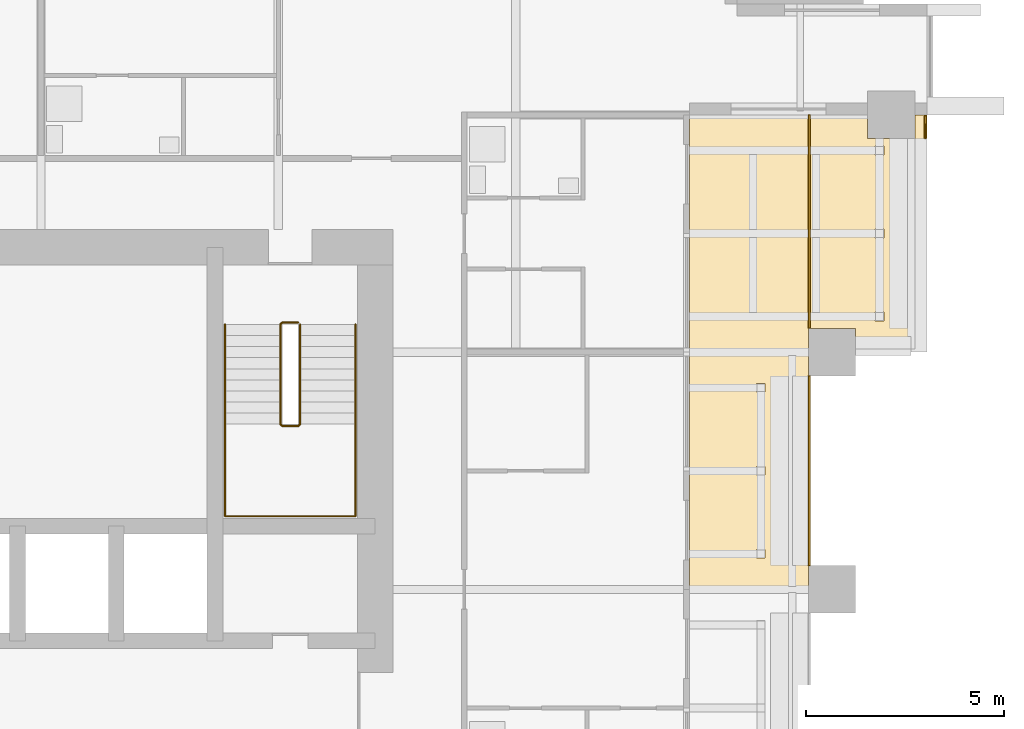
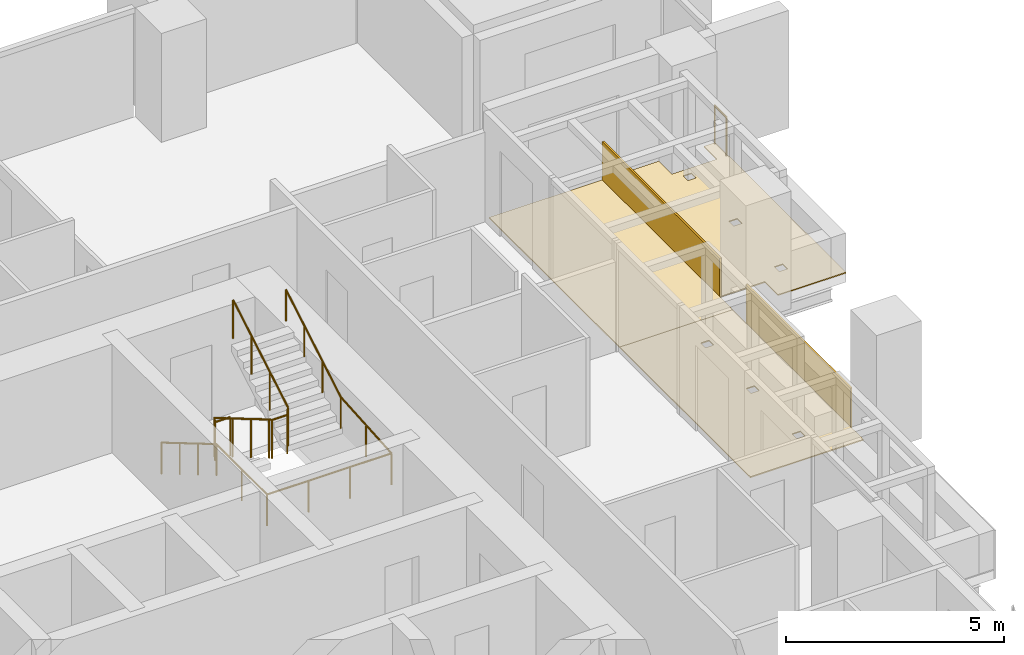
# One storey, part 14 of 15: 4 coverings, 3 railings.
"""IFC4 building model written with IfcOpenShell, lengths in metres."""

from ifc_helpers import new_model, si_unit, direction, frame, origin, origin_2d, place, context, subcontext, project, spatial, polyline, circle, outline, extrude, material, layer, layer_set, type_object, element, save


model = new_model("IFC4")

# Units and contexts
model_context = context("Model", 3, precision=1e-05, world=origin(), true_north=direction((0.0, 1.0)))
body_context = subcontext(model_context, "Body", "Model", "MODEL_VIEW")
ifc_project = project(units=[si_unit("LENGTHUNIT", "METRE"), si_unit("AREAUNIT", "SQUARE_METRE"), si_unit("VOLUMEUNIT", "CUBIC_METRE"), si_unit("PLANEANGLEUNIT", "RADIAN"), si_unit("MASSUNIT", "GRAM", prefix="KILO")], contexts=[model_context])

# Site, building, storey
site_placement = place(None, origin())
site = spatial("IfcSite", under=ifc_project, at=site_placement, CompositionType="ELEMENT")
building_placement = place(site_placement, origin())
building = spatial("IfcBuilding", under=site, at=building_placement, Name="Amberfall Residences", CompositionType="ELEMENT")
storey_placement = place(building_placement, frame((0.0, 0.0, 53.199951171875)))
storey = spatial("IfcBuildingStorey", under=building, at=storey_placement, Name="L14", CompositionType="ELEMENT", Elevation=53.199951171875)

# Coverings
ifc_material_1 = material(Name="Pale limestone cladding", Category="masonry")
ifc_layer_1 = layer(ifc_material_1, 0.050048828125)
ifc_layer_set_1 = layer_set([ifc_layer_1], Name="Limestone fascia 50")
covering_type_1 = type_object("IfcCoveringType", Name="Limestone fascia 50", PredefinedType="CLADDING", material=ifc_layer_set_1)
covering_1_placement = place(storey_placement, frame((0.0, 0.0, -0.25)))
element("IfcCovering", 1, at=covering_1_placement, inside=storey, type_object=covering_type_1, Name="Limestone terrace fascia L14 E1", PredefinedType="CLADDING", context=body_context, shape_type="SweptSolid", body=[
    extrude(outline(polyline([(97.0, 49.001953125), (97.0, 53.798095703125), (97.050048828125, 53.798095703125), (97.050048828125, 49.001953125), (97.0, 49.001953125)])), origin(), (0.0, 0.0, 1.0), 1.35009765625),
])
covering_2_placement = place(storey_placement, frame((0.0, 0.0, -0.25)))
element("IfcCovering", 2, at=covering_2_placement, inside=storey, type_object=covering_type_1, Name="Limestone terrace fascia L14 E1", PredefinedType="CLADDING", context=body_context, shape_type="SweptSolid", body=[
    extrude(outline(polyline([(97.0, 55.001953125), (97.0, 60.39990234375), (97.050048828125, 60.39990234375), (97.050048828125, 55.001953125), (97.0, 55.001953125)])), origin(), (0.0, 0.0, 1.0), 1.35009765625),
])
ifc_material_2 = material(Name="Pale stone paving", Category="masonry")
ifc_layer_2 = layer(ifc_material_2, 0.030029296875)
ifc_layer_set_2 = layer_set([ifc_layer_2], Name="Pale stone paving 30")
covering_type_2 = type_object("IfcCoveringType", Name="Pale stone paving 30", PredefinedType="FLOORING", material=ifc_layer_set_2)
covering_3_placement = place(storey_placement, origin())
element("IfcCovering", 3, at=covering_3_placement, inside=storey, type_object=covering_type_2, Name="Pale stone paving L14 E4", PredefinedType="FLOORING", context=body_context, shape_type="SweptSolid", body=[
    extrude(outline(polyline([(94.0, 54.39990234375), (94.0, 48.39990234375), (97.0, 48.39990234375), (97.0, 49.0), (97.0, 53.800048828125), (97.0, 54.39990234375), (94.0, 54.39990234375)]), holes=[polyline([(95.68994140625, 49.18994140625), (95.909912109375, 49.18994140625), (95.909912109375, 49.409912109375), (95.68994140625, 49.409912109375), (95.68994140625, 49.18994140625)]), polyline([(95.68994140625, 51.2900390625), (95.909912109375, 51.2900390625), (95.909912109375, 51.510009765625), (95.68994140625, 51.510009765625), (95.68994140625, 51.2900390625)]), polyline([(95.68994140625, 53.389892578125), (95.909912109375, 53.389892578125), (95.909912109375, 53.610107421875), (95.68994140625, 53.610107421875), (95.68994140625, 53.389892578125)])]), origin(), (0.0, 0.0, 1.0), 0.030029296875),
])
covering_4_placement = place(storey_placement, origin())
element("IfcCovering", 4, at=covering_4_placement, inside=storey, type_object=covering_type_2, Name="Pale stone paving L14 E5", PredefinedType="FLOORING", context=body_context, shape_type="SweptSolid", body=[
    extrude(outline(polyline([(100.0, 60.39990234375), (99.699951171875, 60.39990234375), (99.699951171875, 59.800048828125), (98.5, 59.800048828125), (98.5, 60.39990234375), (94.0, 60.39990234375), (94.0, 54.39990234375), (97.0, 54.39990234375), (97.0, 55.0), (98.199951171875, 55.0), (98.199951171875, 54.39990234375), (100.0, 54.39990234375), (100.0, 60.39990234375)]), holes=[polyline([(98.68994140625, 55.18994140625), (98.909912109375, 55.18994140625), (98.909912109375, 55.409912109375), (98.68994140625, 55.409912109375), (98.68994140625, 55.18994140625)]), polyline([(98.68994140625, 57.2900390625), (98.909912109375, 57.2900390625), (98.909912109375, 57.510009765625), (98.68994140625, 57.510009765625), (98.68994140625, 57.2900390625)]), polyline([(98.68994140625, 59.389892578125), (98.909912109375, 59.389892578125), (98.909912109375, 59.610107421875), (98.68994140625, 59.610107421875), (98.68994140625, 59.389892578125)])]), origin(), (0.0, 0.0, 1.0), 0.030029296875),
])

# Railings
ifc_material_3 = material(Name="Stainless steel 316", Category="steel")
railing_type_1 = type_object("IfcRailingType", Name="Stair guard 1100", PredefinedType="GUARDRAIL", material=ifc_material_3)
railing_1_placement = place(storey_placement, frame((84.10009765625, 55.14990234375, 0.0)))
element("IfcRailing", 5, at=railing_1_placement, inside=storey, type_object=railing_type_1, Name="L14 stair 3 guard", PredefinedType="GUARDRAIL", context=body_context, shape_type="SweptSolid", body=[
    extrude(circle(Radius=0.02392578125, at=origin_2d()), frame((0.0, 0.0, 1.076171875), z_axis=(-1.0, 0.0, 0.0), x_axis=(0.0, -1.0, 0.0)), (0.0, 0.0, 1.0), 0.400146484375),
    extrude(circle(Radius=0.02392578125, at=origin_2d()), frame((-0.400146484375, 0.0, 1.076171875), z_axis=(-0.278810427259, -0.277450376394, 0.919394384522), x_axis=(0.705375805398, -0.708833529934, 0.0)), (0.0, 0.0, 1.0), 0.179443359375),
    extrude(circle(Radius=0.02392578125, at=origin_2d()), frame((-0.4501953125, -0.0498046875, 1.2412109375), z_axis=(0.0, -0.86152411907, 0.507716645641), x_axis=(1.0, 0.0, 0.0)), (0.0, 0.0, 1.0), 2.925048828125),
    extrude(circle(Radius=0.02392578125, at=origin_2d()), frame((-0.4501953125, -2.56982421875, 2.72607421875), z_axis=(0.707106781187, -0.707106781187, 0.0), x_axis=(0.707106781187, 0.707106781187, 0.0)), (0.0, 0.0, 1.0), 0.07080078125),
    extrude(circle(Radius=0.02392578125, at=origin_2d()), frame((-0.400146484375, -2.619873046875, 2.72607421875), z_axis=(1.0, 0.0, 0.0), x_axis=(0.0, 1.0, 0.0)), (0.0, 0.0, 1.0), 0.400146484375),
    extrude(circle(Radius=0.02392578125, at=origin_2d()), frame((0.0, -2.619873046875, 2.72607421875), z_axis=(0.277797701265, 0.279159454702, 0.919183570361), x_axis=(-0.708833529934, 0.705375805398, 0.0)), (0.0, 0.0, 1.0), 0.17919921875),
    extrude(circle(Radius=0.02392578125, at=origin_2d()), frame((0.0498046875, -2.56982421875, 2.89111328125), z_axis=(0.0, 0.86152411907, 0.507716645641), x_axis=(-1.0, 0.0, 0.0)), (0.0, 0.0, 1.0), 2.925048828125),
    extrude(circle(Radius=0.02099609375, at=origin_2d()), origin(), (0.0, 0.0, 1.0), 1.052001953125),
    extrude(circle(Radius=0.02099609375, at=origin_2d()), frame((-0.400146484375, 0.0, 0.0)), (0.0, 0.0, 1.0), 1.052001953125),
    extrude(circle(Radius=0.02099609375, at=origin_2d()), frame((-0.4501953125, -0.0498046875, 0.1650390625)), (0.0, 0.0, 1.0), 1.052001953125),
    extrude(circle(Radius=0.02099609375, at=origin_2d()), frame((-0.4501953125, -0.889892578125, 0.66015625)), (0.0, 0.0, 1.0), 1.052001953125),
    extrude(circle(Radius=0.02099609375, at=origin_2d()), frame((-0.4501953125, -1.729736328125, 1.155029296875)), (0.0, 0.0, 1.0), 1.052001953125),
    extrude(circle(Radius=0.02099609375, at=origin_2d()), frame((-0.4501953125, -2.56982421875, 1.650146484375)), (0.0, 0.0, 1.0), 1.052001953125),
    extrude(circle(Radius=0.02099609375, at=origin_2d()), frame((-0.400146484375, -2.619873046875, 1.650146484375)), (0.0, 0.0, 1.0), 1.052001953125),
    extrude(circle(Radius=0.02099609375, at=origin_2d()), frame((0.0, -2.619873046875, 1.650146484375)), (0.0, 0.0, 1.0), 1.052001953125),
    extrude(circle(Radius=0.02099609375, at=origin_2d()), frame((0.0498046875, -2.56982421875, 1.81494140625)), (0.0, 0.0, 1.0), 1.052001953125),
    extrude(circle(Radius=0.02099609375, at=origin_2d()), frame((0.0498046875, -1.729736328125, 2.31005859375)), (0.0, 0.0, 1.0), 1.052001953125),
    extrude(circle(Radius=0.02099609375, at=origin_2d()), frame((0.0498046875, -0.889892578125, 2.804931640625)), (0.0, 0.0, 1.0), 1.052001953125),
    extrude(circle(Radius=0.02099609375, at=origin_2d()), frame((0.0498046875, -0.0498046875, 3.300048828125)), (0.0, 0.0, 1.0), 1.052001953125),
])
railing_type_2 = type_object("IfcRailingType", Name="Stair handrail 900", PredefinedType="HANDRAIL", material=ifc_material_3)
railing_2_placement = place(storey_placement, frame((82.25, 55.10009765625, 0.1650390625)))
element("IfcRailing", 6, at=railing_2_placement, inside=storey, type_object=railing_type_2, Name="L14 stair 3 handrail", PredefinedType="HANDRAIL", context=body_context, shape_type="SweptSolid", body=[
    extrude(circle(Radius=0.02392578125, at=origin_2d()), frame((0.0, 0.0, 0.8759765625), z_axis=(0.0, -0.86152411907, 0.507716645641), x_axis=(1.0, 0.0, 0.0)), (0.0, 0.0, 1.0), 2.925048828125),
    extrude(circle(Radius=0.02392578125, at=origin_2d()), frame((0.0, -2.52001953125, 2.36083984375), z_axis=(0.0, -1.0, 0.0), x_axis=(1.0, 0.0, 0.0)), (0.0, 0.0, 1.0), 2.330078125),
    extrude(circle(Radius=0.02392578125, at=origin_2d()), frame((0.0, -4.85009765625, 2.36083984375), z_axis=(1.0, 0.0, 0.0), x_axis=(0.0, 1.0, 0.0)), (0.0, 0.0, 1.0), 3.300048828125),
    extrude(circle(Radius=0.02392578125, at=origin_2d()), frame((3.300048828125, -4.85009765625, 2.36083984375), z_axis=(0.0, 0.997508326432, 0.070548839097), x_axis=(-1.0, 0.0, 0.0)), (0.0, 0.0, 1.0), 2.3359375),
    extrude(circle(Radius=0.02392578125, at=origin_2d()), frame((3.300048828125, -2.52001953125, 2.52587890625), z_axis=(0.0, 0.86152411907, 0.507716645641), x_axis=(-1.0, 0.0, 0.0)), (0.0, 0.0, 1.0), 2.925048828125),
    extrude(circle(Radius=0.02099609375, at=origin_2d()), origin(), (0.0, 0.0, 1.0), 0.851806640625),
    extrude(circle(Radius=0.02099609375, at=origin_2d()), frame((0.0, -0.840087890625, 0.4951171875)), (0.0, 0.0, 1.0), 0.851806640625),
    extrude(circle(Radius=0.02099609375, at=origin_2d()), frame((0.0, -1.679931640625, 0.989990234375)), (0.0, 0.0, 1.0), 0.851806640625),
    extrude(circle(Radius=0.02099609375, at=origin_2d()), frame((0.0, -2.52001953125, 1.485107421875)), (0.0, 0.0, 1.0), 0.851806640625),
    extrude(circle(Radius=0.02099609375, at=origin_2d()), frame((0.0, -3.68505859375, 1.485107421875)), (0.0, 0.0, 1.0), 0.851806640625),
    extrude(circle(Radius=0.02099609375, at=origin_2d()), frame((0.0, -4.85009765625, 1.485107421875)), (0.0, 0.0, 1.0), 0.851806640625),
    extrude(circle(Radius=0.02099609375, at=origin_2d()), frame((1.10009765625, -4.85009765625, 1.485107421875)), (0.0, 0.0, 1.0), 0.851806640625),
    extrude(circle(Radius=0.02099609375, at=origin_2d()), frame((2.199951171875, -4.85009765625, 1.485107421875)), (0.0, 0.0, 1.0), 0.851806640625),
    extrude(circle(Radius=0.02099609375, at=origin_2d()), frame((3.300048828125, -4.85009765625, 1.485107421875)), (0.0, 0.0, 1.0), 0.851806640625),
    extrude(circle(Radius=0.02099609375, at=origin_2d()), frame((3.300048828125, -3.68505859375, 1.5673828125)), (0.0, 0.0, 1.0), 0.851806640625),
    extrude(circle(Radius=0.02099609375, at=origin_2d()), frame((3.300048828125, -2.52001953125, 1.64990234375)), (0.0, 0.0, 1.0), 0.851806640625),
    extrude(circle(Radius=0.02099609375, at=origin_2d()), frame((3.300048828125, -1.679931640625, 2.14501953125)), (0.0, 0.0, 1.0), 0.851806640625),
    extrude(circle(Radius=0.02099609375, at=origin_2d()), frame((3.300048828125, -0.840087890625, 2.639892578125)), (0.0, 0.0, 1.0), 0.851806640625),
    extrude(circle(Radius=0.02099609375, at=origin_2d()), frame((3.300048828125, 0.0, 3.135009765625)), (0.0, 0.0, 1.0), 0.851806640625),
])
ifc_material_4 = material(Name="Bronze anodised aluminium and laminated glass", Category="aluminium")
railing_type_3 = type_object("IfcRailingType", Name="Terrace edge guard 1100", PredefinedType="GUARDRAIL", material=ifc_material_4)
railing_3_placement = place(storey_placement, frame((99.9599609375, 59.820068359375, 0.030029296875)))
element("IfcRailing", 7, at=railing_3_placement, inside=storey, type_object=railing_type_3, Name="Terrace guard L14 E5", PredefinedType="GUARDRAIL", context=body_context, shape_type="SweptSolid", body=[
    extrude(circle(Radius=0.02392578125, at=origin_2d()), frame((0.0, 0.0, 1.076171875), z_axis=(0.005832112566, 0.999982993087, 0.0), x_axis=(-0.999982993087, 0.005832112566, 0.0)), (0.0, 0.0, 1.0), 0.544189453125),
    extrude(circle(Radius=0.02099609375, at=origin_2d()), origin(), (0.0, 0.0, 1.0), 1.052001953125),
    extrude(circle(Radius=0.02099609375, at=origin_2d()), frame((0.003173828125, 0.544189453125, 0.0)), (0.0, 0.0, 1.0), 1.052001953125),
])

save(model, "model.ifc")
